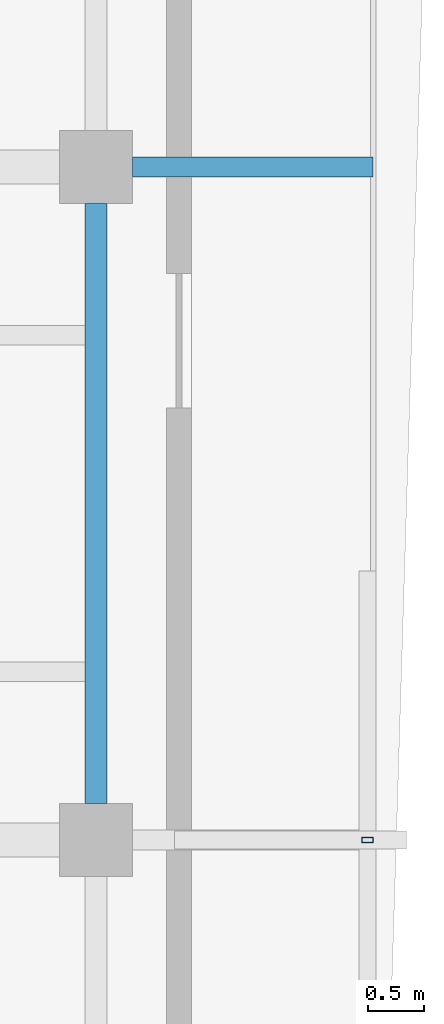
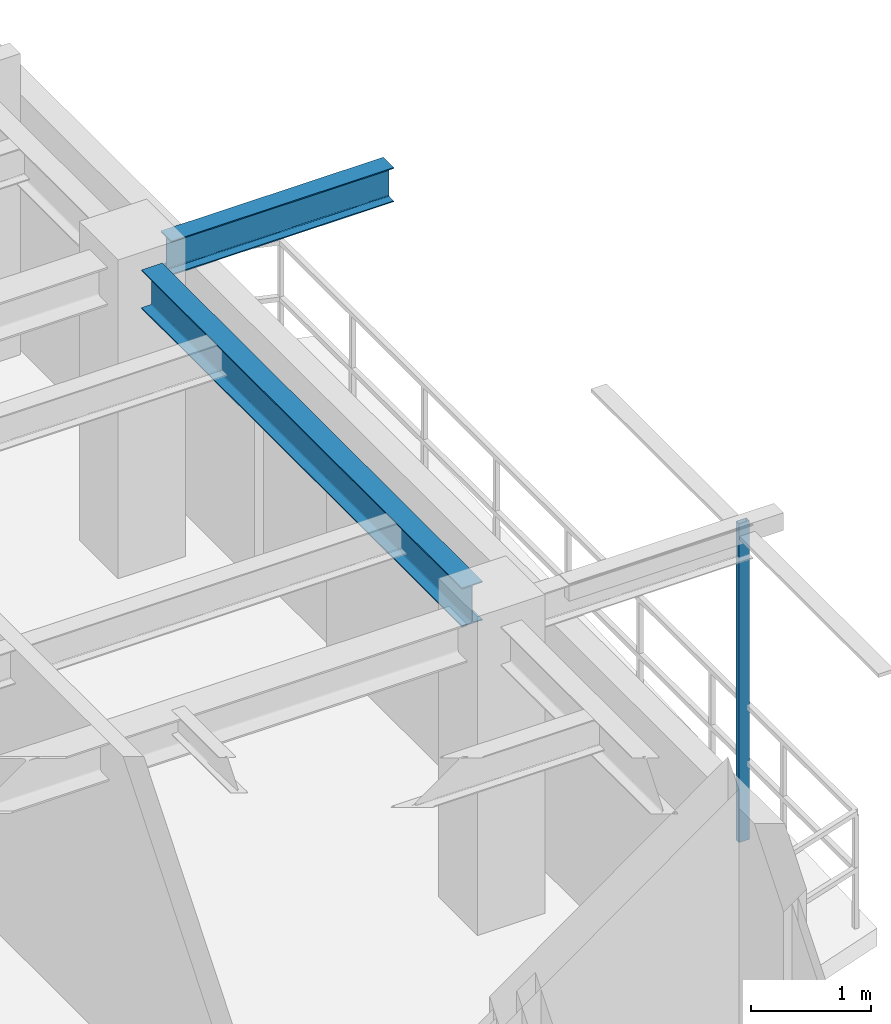
# One storey, part 7 of 15: 2 beams, 1 member.
"""IFC4 building model written with IfcOpenShell, lengths in metres."""

from ifc_helpers import new_model, si_unit, direction, frame, origin, origin_2d, place, context, subcontext, project, spatial, hollow_rectangle, i_section, extrude, source, transform, mapped, material, material_profile, profile_set, type_object, element, save


model = new_model("IFC4")

# Units and contexts
model_context = context("Model", 3, precision=1e-05, world=origin(), true_north=direction((0.0, 1.0)))
body_context = subcontext(model_context, "Body", "Model", "MODEL_VIEW")
ifc_project = project(units=[si_unit("LENGTHUNIT", "METRE"), si_unit("AREAUNIT", "SQUARE_METRE"), si_unit("VOLUMEUNIT", "CUBIC_METRE"), si_unit("PLANEANGLEUNIT", "RADIAN"), si_unit("MASSUNIT", "GRAM", prefix="KILO"), si_unit("THERMODYNAMICTEMPERATUREUNIT", "KELVIN"), si_unit("POWERUNIT", "WATT")], contexts=[model_context])

# Site, building, storey
site_placement = place(None, origin())
site = spatial("IfcSite", under=ifc_project, at=site_placement, CompositionType="ELEMENT")
building_placement = place(site_placement, origin())
building = spatial("IfcBuilding", under=site, at=building_placement, Name="Qiaomeng Ring Towers", CompositionType="ELEMENT")
storey_placement = place(building_placement, frame((0.0, 0.0, 256.75)))
storey = spatial("IfcBuildingStorey", under=building, at=storey_placement, Name="L75", CompositionType="ELEMENT", Elevation=256.75)

# Beams
ifc_material_1 = material(Name="Steel Q355B", Category="steel")
ifc_material_profile_1 = material_profile(ifc_material_1, i_section(OverallWidth=0.198974609375, OverallDepth=0.39599609375, WebThickness=0.007080078125, FlangeThickness=0.010986328125, FilletRadius=0.01611328125, at=origin_2d()), Name="HN 396x199x7x11")
ifc_profile_set_1 = profile_set([ifc_material_profile_1], Name="Steel Q355B")
beam_type_1 = type_object("IfcBeamType", Name="STR-BM-HN396", PredefinedType="SPANDREL", material=ifc_profile_set_1)
shared_shape_1 = source(origin(), body_context, "Body", "SweptSolid", [
    extrude(i_section(OverallWidth=0.198974609375, OverallDepth=0.39599609375, WebThickness=0.007080078125, FlangeThickness=0.010986328125, FilletRadius=0.01611328125, at=origin_2d()), origin(), (0.0, 0.0, 1.0), 5.35205078125),
])
beam_1_placement = place(storey_placement, frame((33.85009765625, 20.323974609375, 2.8720703125), z_axis=(0.0, 1.0, 0.0), x_axis=(-1.0, 0.0, 0.0)))
element("IfcBeam", 1, at=beam_1_placement, inside=storey, type_object=beam_type_1, Name="L75 beam STR-SP-L75-T1-E2-E3", PredefinedType="SPANDREL", context=body_context, shape_type="MappedRepresentation", body=[
    mapped(shared_shape_1, transform((0.0, 0.0, 0.0), x_axis=(1.0, 0.0, 0.0), y_axis=(0.0, 1.0, 0.0), z_axis=(0.0, 0.0, 1.0), scale=1.0)),
])
ifc_material_profile_2 = material_profile(ifc_material_1, i_section(OverallWidth=0.175048828125, OverallDepth=0.35009765625, WebThickness=0.007080078125, FlangeThickness=0.010986328125, FilletRadius=0.013916015625, at=origin_2d()), Name="HN 350x175x7x11")
ifc_profile_set_2 = profile_set([ifc_material_profile_2], Name="Steel Q355B")
beam_type_2 = type_object("IfcBeamType", Name="STR-BM-HN350", PredefinedType="JOIST", material=ifc_profile_set_2)
shared_shape_2 = source(origin(), body_context, "Body", "SweptSolid", [
    extrude(i_section(OverallWidth=0.175048828125, OverallDepth=0.35009765625, WebThickness=0.007080078125, FlangeThickness=0.010986328125, FilletRadius=0.013916015625, at=origin_2d()), origin(), (0.0, 0.0, 1.0), 2.14599609375),
])
beam_2_placement = place(storey_placement, frame((34.174072265625, 26.0, 2.89501953125), z_axis=(1.0, 0.0, 0.0), x_axis=(0.0, 1.0, 0.0)))
element("IfcBeam", 2, at=beam_2_placement, inside=storey, type_object=beam_type_2, Name="L75 beam STR-BALBM-L75-E3", PredefinedType="JOIST", context=body_context, shape_type="MappedRepresentation", body=[
    mapped(shared_shape_2, transform((0.0, 0.0, 0.0), x_axis=(1.0, 0.0, 0.0), y_axis=(0.0, 1.0, 0.0), z_axis=(0.0, 0.0, 1.0), scale=1.0)),
])

# Member
ifc_material_2 = material(Name="Stainless steel 316", Category="steel")
ifc_material_profile_3 = material_profile(ifc_material_2, hollow_rectangle(XDim=0.050048828125, YDim=0.10009765625, WallThickness=0.00390625, at=origin_2d()), Name="SS TRELLIS 100x50")
ifc_profile_set_3 = profile_set([ifc_material_profile_3], Name="Stainless steel 316")
member_type = type_object("IfcMemberType", Name="ARC-TR-POST2", PredefinedType="STUD", material=ifc_profile_set_3)
shared_shape_3 = source(origin(), body_context, "Body", "SweptSolid", [
    extrude(hollow_rectangle(XDim=0.050048828125, YDim=0.10009765625, WallThickness=0.00390625, at=origin_2d()), origin(), (0.0, 0.0, 1.0), 3.25),
])
member_placement = place(storey_placement, frame((36.27001953125, 20.0, -0.179931640625), z_axis=(0.0, 0.0, 1.0), x_axis=(0.0, 1.0, 0.0)))
element("IfcMember", 3, at=member_placement, inside=storey, type_object=member_type, Name="L75 Outer Ventilated Trellis Post E", PredefinedType="STUD", context=body_context, shape_type="MappedRepresentation", body=[
    mapped(shared_shape_3, transform((0.0, 0.0, 0.0), x_axis=(1.0, 0.0, 0.0), y_axis=(0.0, 1.0, 0.0), z_axis=(0.0, 0.0, 1.0), scale=1.0)),
])

save(model, "model.ifc")
